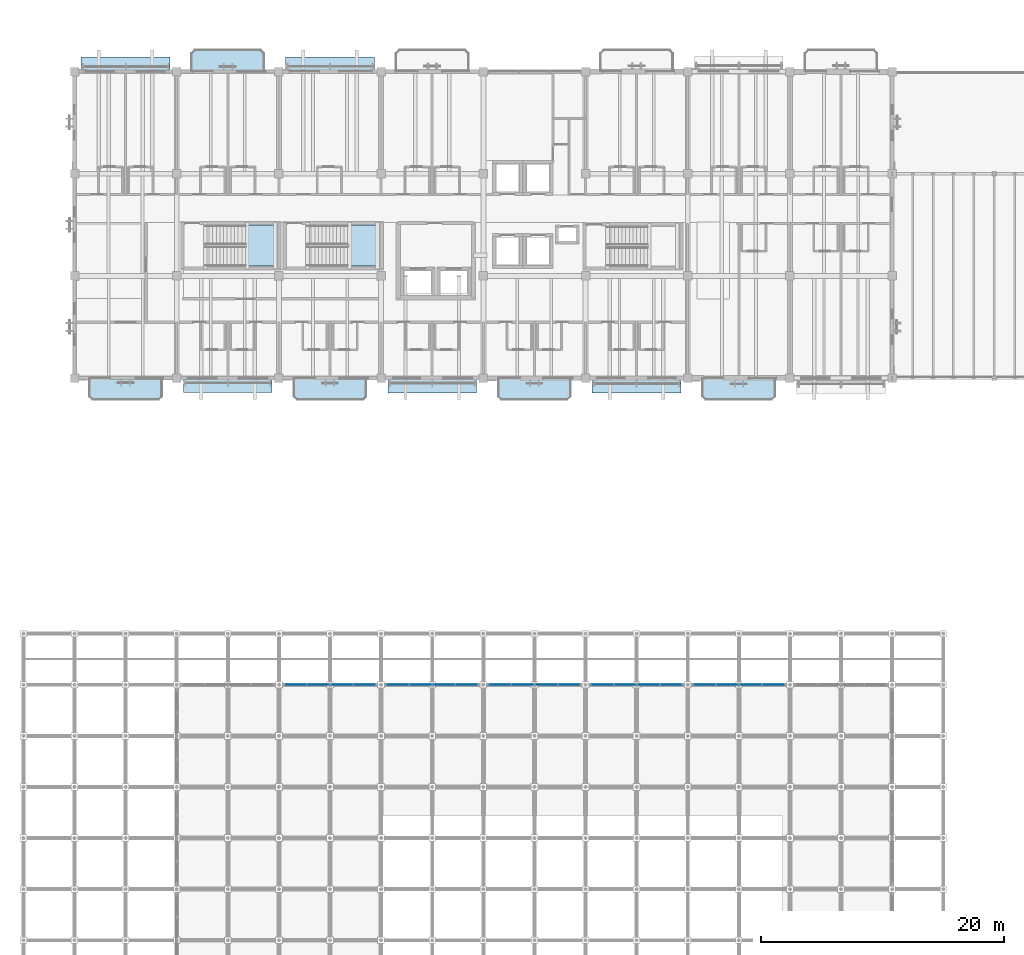
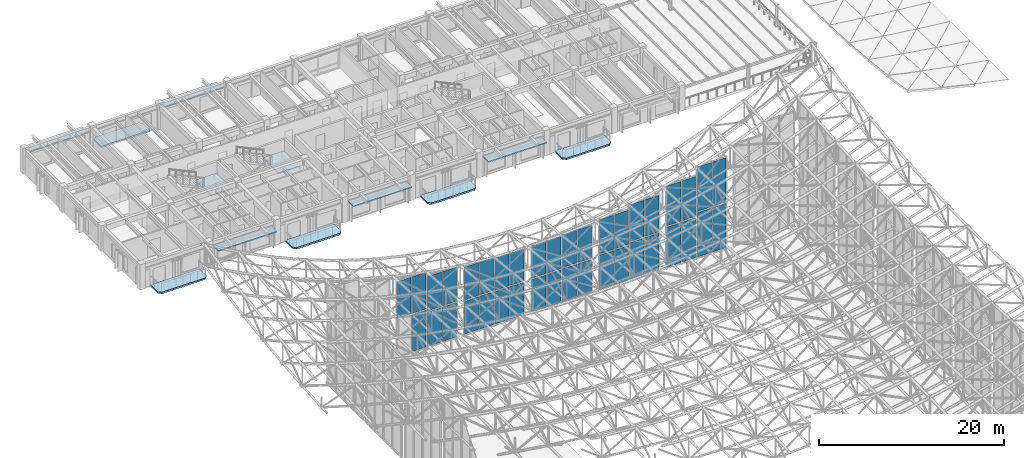
# One storey, part 62 of 93: 44 plates, 7 slabs, 17 elements without a shape of their own.
"""IFC4 building model written with IfcOpenShell, lengths in metres."""

from ifc_helpers import new_model, si_unit, direction, frame, origin, origin_2d, place, context, subcontext, project, spatial, polyline, rectangle, outline, extrude, material, layer, layer_set, type_object, element, aggregate, save


model = new_model("IFC4")

# Units and contexts
model_context = context("Model", 3, precision=1e-05, world=origin(), true_north=direction((0.0, 1.0)))
body_context = subcontext(model_context, "Body", "Model", "MODEL_VIEW")
ifc_project = project(units=[si_unit("LENGTHUNIT", "METRE"), si_unit("AREAUNIT", "SQUARE_METRE"), si_unit("VOLUMEUNIT", "CUBIC_METRE"), si_unit("PLANEANGLEUNIT", "RADIAN"), si_unit("MASSUNIT", "GRAM", prefix="KILO")], contexts=[model_context])

# Site, building, storey
site_placement = place(None, origin())
site = spatial("IfcSite", under=ifc_project, at=site_placement, CompositionType="ELEMENT")
building_placement = place(site_placement, origin())
building = spatial("IfcBuilding", under=site, at=building_placement, Name="Cumbredor Promenade Congress Hotel", CompositionType="ELEMENT")
storey_placement = place(building_placement, frame((0.0, 0.0, 21.840087890625)))
storey = spatial("IfcBuildingStorey", under=building, at=storey_placement, Name="L06", CompositionType="ELEMENT", Elevation=21.840087890625)

# Slabs
ifc_material_1 = material(Name="Concrete C40/50", Category="concrete")
ifc_layer_1 = layer(ifc_material_1, 0.215087890625, Name="Concrete C40/50", Category="concrete")
ifc_layer_set_1 = layer_set([ifc_layer_1], Name="Concrete C40/50")
slab_type_1 = type_object("IfcSlabType", Name="Cantilevered Guestroom Balcony Slab 215mm", PredefinedType="FLOOR", material=ifc_layer_set_1)
slab_1_placement = place(storey_placement, frame((0.0, 0.0, -0.215087890625)))
element("IfcSlab", 1, at=slab_1_placement, inside=storey, type_object=slab_type_1, Name="L06 Cantilevered Guestroom Veranda Balcony 034", PredefinedType="FLOOR", context=body_context, shape_type="SweptSolid", body=[
    extrude(outline(polyline([(9.550048828125, 117.60009765625), (15.64990234375, 117.60009765625), (15.64990234375, 119.10009765625), (15.300048828125, 119.449951171875), (9.89990234375, 119.449951171875), (9.550048828125, 119.10009765625), (9.550048828125, 117.60009765625)])), origin(), (0.0, 0.0, 1.0), 0.215087890625),
])
slab_2_placement = place(storey_placement, frame((0.0, 0.0, -0.215087890625)))
element("IfcSlab", 2, at=slab_2_placement, inside=storey, type_object=slab_type_1, Name="L06 Cantilevered Guestroom Veranda Balcony 038", PredefinedType="FLOOR", context=body_context, shape_type="SweptSolid", body=[
    extrude(outline(polyline([(1.5, 90.550048828125), (6.89990234375, 90.550048828125), (7.25, 90.89990234375), (7.25, 92.39990234375), (1.14990234375, 92.39990234375), (1.14990234375, 90.89990234375), (1.5, 90.550048828125)])), origin(), (0.0, 0.0, 1.0), 0.215087890625),
])
slab_3_placement = place(storey_placement, frame((0.0, 0.0, -0.215087890625)))
element("IfcSlab", 3, at=slab_3_placement, inside=storey, type_object=slab_type_1, Name="L06 Cantilevered Guestroom Veranda Balcony 039", PredefinedType="FLOOR", context=body_context, shape_type="SweptSolid", body=[
    extrude(outline(polyline([(18.300048828125, 90.550048828125), (23.699951171875, 90.550048828125), (24.050048828125, 90.89990234375), (24.050048828125, 92.39990234375), (17.949951171875, 92.39990234375), (17.949951171875, 90.89990234375), (18.300048828125, 90.550048828125)])), origin(), (0.0, 0.0, 1.0), 0.215087890625),
])
slab_4_placement = place(storey_placement, frame((0.0, 0.0, -0.215087890625)))
element("IfcSlab", 4, at=slab_4_placement, inside=storey, type_object=slab_type_1, Name="L06 Cantilevered Guestroom Veranda Balcony 040", PredefinedType="FLOOR", context=body_context, shape_type="SweptSolid", body=[
    extrude(outline(polyline([(35.10009765625, 90.550048828125), (40.5, 90.550048828125), (40.85009765625, 90.89990234375), (40.85009765625, 92.39990234375), (34.75, 92.39990234375), (34.75, 90.89990234375), (35.10009765625, 90.550048828125)])), origin(), (0.0, 0.0, 1.0), 0.215087890625),
])
slab_5_placement = place(storey_placement, frame((0.0, 0.0, -0.215087890625)))
element("IfcSlab", 5, at=slab_5_placement, inside=storey, type_object=slab_type_1, Name="L06 Cantilevered Guestroom Veranda Balcony 041", PredefinedType="FLOOR", context=body_context, shape_type="SweptSolid", body=[
    extrude(outline(polyline([(51.89990234375, 90.550048828125), (57.300048828125, 90.550048828125), (57.64990234375, 90.89990234375), (57.64990234375, 92.39990234375), (51.550048828125, 92.39990234375), (51.550048828125, 90.89990234375), (51.89990234375, 90.550048828125)])), origin(), (0.0, 0.0, 1.0), 0.215087890625),
])

# Curtain wall, plates
ifc_material_2 = material(Name="Thermally broken anodized aluminium and low-E glass", Category="aluminium")
curtain_wall_type_1 = type_object("IfcCurtainWallType", Name="Stepped Pavilion Clerestory Curtain Wall CW-06", PredefinedType="NOTDEFINED", material=ifc_material_2)
curtain_wall_1_placement = place(storey_placement, origin())
curtain_wall_1 = element("IfcCurtainWall", 6, at=curtain_wall_1_placement, inside=storey, type_object=curtain_wall_type_1, Name="Plenary Congress Hall N Glazed Clerestory 3", PredefinedType="NOTDEFINED")
ifc_material_3 = material(Name="Laminated low-E solar-control glass", Category="glass")
ifc_layer_2 = layer(ifc_material_3, 0.031982421875, Name="Laminated low-E solar-control glass", Category="glass")
ifc_layer_set_2 = layer_set([ifc_layer_2], Name="Laminated low-E solar-control glass")
plate_type_1 = type_object("IfcPlateType", Name="Clerestory Glazed Vision Panel PNL-07", PredefinedType="CURTAIN_PANEL", material=ifc_layer_set_2)
plate_1_placement = place(storey_placement, frame((18.169921875, 67.199951171875, 5.1796875), z_axis=(0.0, 0.0, 1.0), x_axis=(1.0, 0.0, 0.0)))
plate_1 = element("IfcPlate", 7, at=plate_1_placement, type_object=plate_type_1, Name="Plenary Congress Hall N Glazed Clerestory 3 Glazing Panel 1.2", PredefinedType="CURTAIN_PANEL", context=body_context, shape_type="SweptSolid", body=[
    extrude(rectangle(XDim=1.77490234375, YDim=0.031982421875, at=origin_2d()), origin(), (0.0, 0.0, 1.0), 4.820068359375),
])
plate_2_placement = place(storey_placement, frame((20.030029296875, 67.199951171875, 0.169921875), z_axis=(0.0, 0.0, 1.0), x_axis=(1.0, 0.0, 0.0)))
plate_2 = element("IfcPlate", 8, at=plate_2_placement, type_object=plate_type_1, Name="Plenary Congress Hall N Glazed Clerestory 3 Glazing Panel 2.1", PredefinedType="CURTAIN_PANEL", context=body_context, shape_type="SweptSolid", body=[
    extrude(rectangle(XDim=1.77490234375, YDim=0.031982421875, at=origin_2d()), origin(), (0.0, 0.0, 1.0), 4.830078125),
])
plate_3_placement = place(storey_placement, frame((20.030029296875, 67.199951171875, 5.1796875), z_axis=(0.0, 0.0, 1.0), x_axis=(1.0, 0.0, 0.0)))
plate_3 = element("IfcPlate", 9, at=plate_3_placement, type_object=plate_type_1, Name="Plenary Congress Hall N Glazed Clerestory 3 Glazing Panel 2.2", PredefinedType="CURTAIN_PANEL", context=body_context, shape_type="SweptSolid", body=[
    extrude(rectangle(XDim=1.77490234375, YDim=0.031982421875, at=origin_2d()), origin(), (0.0, 0.0, 1.0), 4.820068359375),
])
aggregate(curtain_wall_1, [plate_1, plate_2, plate_3])

curtain_wall_2_placement = place(storey_placement, origin())
curtain_wall_2 = element("IfcCurtainWall", 10, at=curtain_wall_2_placement, inside=storey, type_object=curtain_wall_type_1, Name="Plenary Congress Hall N Glazed Clerestory 4", PredefinedType="NOTDEFINED")
plate_4_placement = place(storey_placement, frame((21.969970703125, 67.199951171875, 0.169921875), z_axis=(0.0, 0.0, 1.0), x_axis=(1.0, 0.0, 0.0)))
plate_4 = element("IfcPlate", 11, at=plate_4_placement, type_object=plate_type_1, Name="Plenary Congress Hall N Glazed Clerestory 4 Glazing Panel 1.1", PredefinedType="CURTAIN_PANEL", context=body_context, shape_type="SweptSolid", body=[
    extrude(rectangle(XDim=1.77490234375, YDim=0.031982421875, at=origin_2d()), origin(), (0.0, 0.0, 1.0), 4.510009765625),
])
plate_5_placement = place(storey_placement, frame((21.969970703125, 67.199951171875, 4.85986328125), z_axis=(0.0, 0.0, 1.0), x_axis=(1.0, 0.0, 0.0)))
plate_5 = element("IfcPlate", 12, at=plate_5_placement, type_object=plate_type_1, Name="Plenary Congress Hall N Glazed Clerestory 4 Glazing Panel 1.2", PredefinedType="CURTAIN_PANEL", context=body_context, shape_type="SweptSolid", body=[
    extrude(rectangle(XDim=1.77490234375, YDim=0.031982421875, at=origin_2d()), origin(), (0.0, 0.0, 1.0), 4.510009765625),
])
plate_6_placement = place(storey_placement, frame((23.830078125, 67.199951171875, 0.169921875), z_axis=(0.0, 0.0, 1.0), x_axis=(1.0, 0.0, 0.0)))
plate_6 = element("IfcPlate", 13, at=plate_6_placement, type_object=plate_type_1, Name="Plenary Congress Hall N Glazed Clerestory 4 Glazing Panel 2.1", PredefinedType="CURTAIN_PANEL", context=body_context, shape_type="SweptSolid", body=[
    extrude(rectangle(XDim=1.77490234375, YDim=0.031982421875, at=origin_2d()), origin(), (0.0, 0.0, 1.0), 4.510009765625),
])
plate_7_placement = place(storey_placement, frame((23.830078125, 67.199951171875, 4.85986328125), z_axis=(0.0, 0.0, 1.0), x_axis=(1.0, 0.0, 0.0)))
plate_7 = element("IfcPlate", 14, at=plate_7_placement, type_object=plate_type_1, Name="Plenary Congress Hall N Glazed Clerestory 4 Glazing Panel 2.2", PredefinedType="CURTAIN_PANEL", context=body_context, shape_type="SweptSolid", body=[
    extrude(rectangle(XDim=1.77490234375, YDim=0.031982421875, at=origin_2d()), origin(), (0.0, 0.0, 1.0), 4.510009765625),
])
aggregate(curtain_wall_2, [plate_4, plate_5, plate_6, plate_7])

curtain_wall_3_placement = place(storey_placement, origin())
curtain_wall_3 = element("IfcCurtainWall", 15, at=curtain_wall_3_placement, inside=storey, type_object=curtain_wall_type_1, Name="Plenary Congress Hall N Glazed Clerestory 5", PredefinedType="NOTDEFINED")
plate_8_placement = place(storey_placement, frame((26.570068359375, 67.199951171875, 0.169921875), z_axis=(0.0, 0.0, 1.0), x_axis=(1.0, 0.0, 0.0)))
plate_8 = element("IfcPlate", 16, at=plate_8_placement, type_object=plate_type_1, Name="Plenary Congress Hall N Glazed Clerestory 5 Glazing Panel 1.1", PredefinedType="CURTAIN_PANEL", context=body_context, shape_type="SweptSolid", body=[
    extrude(rectangle(XDim=1.77490234375, YDim=0.031982421875, at=origin_2d()), origin(), (0.0, 0.0, 1.0), 4.320068359375),
])
plate_9_placement = place(storey_placement, frame((26.570068359375, 67.199951171875, 4.669921875), z_axis=(0.0, 0.0, 1.0), x_axis=(1.0, 0.0, 0.0)))
plate_9 = element("IfcPlate", 17, at=plate_9_placement, type_object=plate_type_1, Name="Plenary Congress Hall N Glazed Clerestory 5 Glazing Panel 1.2", PredefinedType="CURTAIN_PANEL", context=body_context, shape_type="SweptSolid", body=[
    extrude(rectangle(XDim=1.77490234375, YDim=0.031982421875, at=origin_2d()), origin(), (0.0, 0.0, 1.0), 4.320068359375),
])
plate_10_placement = place(storey_placement, frame((28.429931640625, 67.199951171875, 0.169921875), z_axis=(0.0, 0.0, 1.0), x_axis=(1.0, 0.0, 0.0)))
plate_10 = element("IfcPlate", 18, at=plate_10_placement, type_object=plate_type_1, Name="Plenary Congress Hall N Glazed Clerestory 5 Glazing Panel 2.1", PredefinedType="CURTAIN_PANEL", context=body_context, shape_type="SweptSolid", body=[
    extrude(rectangle(XDim=1.77490234375, YDim=0.031982421875, at=origin_2d()), origin(), (0.0, 0.0, 1.0), 4.320068359375),
])
plate_11_placement = place(storey_placement, frame((28.429931640625, 67.199951171875, 4.669921875), z_axis=(0.0, 0.0, 1.0), x_axis=(1.0, 0.0, 0.0)))
plate_11 = element("IfcPlate", 19, at=plate_11_placement, type_object=plate_type_1, Name="Plenary Congress Hall N Glazed Clerestory 5 Glazing Panel 2.2", PredefinedType="CURTAIN_PANEL", context=body_context, shape_type="SweptSolid", body=[
    extrude(rectangle(XDim=1.77490234375, YDim=0.031982421875, at=origin_2d()), origin(), (0.0, 0.0, 1.0), 4.320068359375),
])
aggregate(curtain_wall_3, [plate_8, plate_9, plate_10, plate_11])

curtain_wall_4_placement = place(storey_placement, origin())
curtain_wall_4 = element("IfcCurtainWall", 20, at=curtain_wall_4_placement, inside=storey, type_object=curtain_wall_type_1, Name="Plenary Congress Hall N Glazed Clerestory 6", PredefinedType="NOTDEFINED")
plate_12_placement = place(storey_placement, frame((30.3701171875, 67.199951171875, 0.169921875), z_axis=(0.0, 0.0, 1.0), x_axis=(1.0, 0.0, 0.0)))
plate_12 = element("IfcPlate", 21, at=plate_12_placement, type_object=plate_type_1, Name="Plenary Congress Hall N Glazed Clerestory 6 Glazing Panel 1.1", PredefinedType="CURTAIN_PANEL", context=body_context, shape_type="SweptSolid", body=[
    extrude(rectangle(XDim=1.77490234375, YDim=0.031982421875, at=origin_2d()), origin(), (0.0, 0.0, 1.0), 4.260009765625),
])
plate_13_placement = place(storey_placement, frame((30.3701171875, 67.199951171875, 4.60986328125), z_axis=(0.0, 0.0, 1.0), x_axis=(1.0, 0.0, 0.0)))
plate_13 = element("IfcPlate", 22, at=plate_13_placement, type_object=plate_type_1, Name="Plenary Congress Hall N Glazed Clerestory 6 Glazing Panel 1.2", PredefinedType="CURTAIN_PANEL", context=body_context, shape_type="SweptSolid", body=[
    extrude(rectangle(XDim=1.77490234375, YDim=0.031982421875, at=origin_2d()), origin(), (0.0, 0.0, 1.0), 4.260009765625),
])
plate_14_placement = place(storey_placement, frame((32.22998046875, 67.199951171875, 0.169921875), z_axis=(0.0, 0.0, 1.0), x_axis=(1.0, 0.0, 0.0)))
plate_14 = element("IfcPlate", 23, at=plate_14_placement, type_object=plate_type_1, Name="Plenary Congress Hall N Glazed Clerestory 6 Glazing Panel 2.1", PredefinedType="CURTAIN_PANEL", context=body_context, shape_type="SweptSolid", body=[
    extrude(rectangle(XDim=1.77490234375, YDim=0.031982421875, at=origin_2d()), origin(), (0.0, 0.0, 1.0), 4.260009765625),
])
plate_15_placement = place(storey_placement, frame((32.22998046875, 67.199951171875, 4.60986328125), z_axis=(0.0, 0.0, 1.0), x_axis=(1.0, 0.0, 0.0)))
plate_15 = element("IfcPlate", 24, at=plate_15_placement, type_object=plate_type_1, Name="Plenary Congress Hall N Glazed Clerestory 6 Glazing Panel 2.2", PredefinedType="CURTAIN_PANEL", context=body_context, shape_type="SweptSolid", body=[
    extrude(rectangle(XDim=1.77490234375, YDim=0.031982421875, at=origin_2d()), origin(), (0.0, 0.0, 1.0), 4.260009765625),
])
aggregate(curtain_wall_4, [plate_12, plate_13, plate_14, plate_15])

curtain_wall_5_placement = place(storey_placement, origin())
curtain_wall_5 = element("IfcCurtainWall", 25, at=curtain_wall_5_placement, inside=storey, type_object=curtain_wall_type_1, Name="Plenary Congress Hall N Glazed Clerestory 7", PredefinedType="NOTDEFINED")
plate_16_placement = place(storey_placement, frame((34.969970703125, 67.199951171875, 0.169921875), z_axis=(0.0, 0.0, 1.0), x_axis=(1.0, 0.0, 0.0)))
plate_16 = element("IfcPlate", 26, at=plate_16_placement, type_object=plate_type_1, Name="Plenary Congress Hall N Glazed Clerestory 7 Glazing Panel 1.1", PredefinedType="CURTAIN_PANEL", context=body_context, shape_type="SweptSolid", body=[
    extrude(rectangle(XDim=1.77490234375, YDim=0.031982421875, at=origin_2d()), origin(), (0.0, 0.0, 1.0), 4.260009765625),
])
plate_17_placement = place(storey_placement, frame((34.969970703125, 67.199951171875, 4.60986328125), z_axis=(0.0, 0.0, 1.0), x_axis=(1.0, 0.0, 0.0)))
plate_17 = element("IfcPlate", 27, at=plate_17_placement, type_object=plate_type_1, Name="Plenary Congress Hall N Glazed Clerestory 7 Glazing Panel 1.2", PredefinedType="CURTAIN_PANEL", context=body_context, shape_type="SweptSolid", body=[
    extrude(rectangle(XDim=1.77490234375, YDim=0.031982421875, at=origin_2d()), origin(), (0.0, 0.0, 1.0), 4.260009765625),
])
plate_18_placement = place(storey_placement, frame((36.830078125, 67.199951171875, 0.169921875), z_axis=(0.0, 0.0, 1.0), x_axis=(1.0, 0.0, 0.0)))
plate_18 = element("IfcPlate", 28, at=plate_18_placement, type_object=plate_type_1, Name="Plenary Congress Hall N Glazed Clerestory 7 Glazing Panel 2.1", PredefinedType="CURTAIN_PANEL", context=body_context, shape_type="SweptSolid", body=[
    extrude(rectangle(XDim=1.77490234375, YDim=0.031982421875, at=origin_2d()), origin(), (0.0, 0.0, 1.0), 4.260009765625),
])
plate_19_placement = place(storey_placement, frame((36.830078125, 67.199951171875, 4.60986328125), z_axis=(0.0, 0.0, 1.0), x_axis=(1.0, 0.0, 0.0)))
plate_19 = element("IfcPlate", 29, at=plate_19_placement, type_object=plate_type_1, Name="Plenary Congress Hall N Glazed Clerestory 7 Glazing Panel 2.2", PredefinedType="CURTAIN_PANEL", context=body_context, shape_type="SweptSolid", body=[
    extrude(rectangle(XDim=1.77490234375, YDim=0.031982421875, at=origin_2d()), origin(), (0.0, 0.0, 1.0), 4.260009765625),
])
aggregate(curtain_wall_5, [plate_16, plate_17, plate_18, plate_19])

curtain_wall_6_placement = place(storey_placement, origin())
curtain_wall_6 = element("IfcCurtainWall", 30, at=curtain_wall_6_placement, inside=storey, type_object=curtain_wall_type_1, Name="Plenary Congress Hall N Glazed Clerestory 8", PredefinedType="NOTDEFINED")
plate_20_placement = place(storey_placement, frame((38.77001953125, 67.199951171875, 0.169921875), z_axis=(0.0, 0.0, 1.0), x_axis=(1.0, 0.0, 0.0)))
plate_20 = element("IfcPlate", 31, at=plate_20_placement, type_object=plate_type_1, Name="Plenary Congress Hall N Glazed Clerestory 8 Glazing Panel 1.1", PredefinedType="CURTAIN_PANEL", context=body_context, shape_type="SweptSolid", body=[
    extrude(rectangle(XDim=1.77490234375, YDim=0.031982421875, at=origin_2d()), origin(), (0.0, 0.0, 1.0), 4.320068359375),
])
plate_21_placement = place(storey_placement, frame((38.77001953125, 67.199951171875, 4.669921875), z_axis=(0.0, 0.0, 1.0), x_axis=(1.0, 0.0, 0.0)))
plate_21 = element("IfcPlate", 32, at=plate_21_placement, type_object=plate_type_1, Name="Plenary Congress Hall N Glazed Clerestory 8 Glazing Panel 1.2", PredefinedType="CURTAIN_PANEL", context=body_context, shape_type="SweptSolid", body=[
    extrude(rectangle(XDim=1.77490234375, YDim=0.031982421875, at=origin_2d()), origin(), (0.0, 0.0, 1.0), 4.320068359375),
])
plate_22_placement = place(storey_placement, frame((40.6298828125, 67.199951171875, 0.169921875), z_axis=(0.0, 0.0, 1.0), x_axis=(1.0, 0.0, 0.0)))
plate_22 = element("IfcPlate", 33, at=plate_22_placement, type_object=plate_type_1, Name="Plenary Congress Hall N Glazed Clerestory 8 Glazing Panel 2.1", PredefinedType="CURTAIN_PANEL", context=body_context, shape_type="SweptSolid", body=[
    extrude(rectangle(XDim=1.77490234375, YDim=0.031982421875, at=origin_2d()), origin(), (0.0, 0.0, 1.0), 4.320068359375),
])
plate_23_placement = place(storey_placement, frame((40.6298828125, 67.199951171875, 4.669921875), z_axis=(0.0, 0.0, 1.0), x_axis=(1.0, 0.0, 0.0)))
plate_23 = element("IfcPlate", 34, at=plate_23_placement, type_object=plate_type_1, Name="Plenary Congress Hall N Glazed Clerestory 8 Glazing Panel 2.2", PredefinedType="CURTAIN_PANEL", context=body_context, shape_type="SweptSolid", body=[
    extrude(rectangle(XDim=1.77490234375, YDim=0.031982421875, at=origin_2d()), origin(), (0.0, 0.0, 1.0), 4.320068359375),
])
aggregate(curtain_wall_6, [plate_20, plate_21, plate_22, plate_23])

curtain_wall_7_placement = place(storey_placement, origin())
curtain_wall_7 = element("IfcCurtainWall", 35, at=curtain_wall_7_placement, inside=storey, type_object=curtain_wall_type_1, Name="Plenary Congress Hall N Glazed Clerestory 9", PredefinedType="NOTDEFINED")
plate_24_placement = place(storey_placement, frame((43.3701171875, 67.199951171875, 0.169921875), z_axis=(0.0, 0.0, 1.0), x_axis=(1.0, 0.0, 0.0)))
plate_24 = element("IfcPlate", 36, at=plate_24_placement, type_object=plate_type_1, Name="Plenary Congress Hall N Glazed Clerestory 9 Glazing Panel 1.1", PredefinedType="CURTAIN_PANEL", context=body_context, shape_type="SweptSolid", body=[
    extrude(rectangle(XDim=1.77490234375, YDim=0.031982421875, at=origin_2d()), origin(), (0.0, 0.0, 1.0), 4.510009765625),
])
plate_25_placement = place(storey_placement, frame((43.3701171875, 67.199951171875, 4.85986328125), z_axis=(0.0, 0.0, 1.0), x_axis=(1.0, 0.0, 0.0)))
plate_25 = element("IfcPlate", 37, at=plate_25_placement, type_object=plate_type_1, Name="Plenary Congress Hall N Glazed Clerestory 9 Glazing Panel 1.2", PredefinedType="CURTAIN_PANEL", context=body_context, shape_type="SweptSolid", body=[
    extrude(rectangle(XDim=1.77490234375, YDim=0.031982421875, at=origin_2d()), origin(), (0.0, 0.0, 1.0), 4.510009765625),
])
plate_26_placement = place(storey_placement, frame((45.22998046875, 67.199951171875, 0.169921875), z_axis=(0.0, 0.0, 1.0), x_axis=(1.0, 0.0, 0.0)))
plate_26 = element("IfcPlate", 38, at=plate_26_placement, type_object=plate_type_1, Name="Plenary Congress Hall N Glazed Clerestory 9 Glazing Panel 2.1", PredefinedType="CURTAIN_PANEL", context=body_context, shape_type="SweptSolid", body=[
    extrude(rectangle(XDim=1.77490234375, YDim=0.031982421875, at=origin_2d()), origin(), (0.0, 0.0, 1.0), 4.510009765625),
])
plate_27_placement = place(storey_placement, frame((45.22998046875, 67.199951171875, 4.85986328125), z_axis=(0.0, 0.0, 1.0), x_axis=(1.0, 0.0, 0.0)))
plate_27 = element("IfcPlate", 39, at=plate_27_placement, type_object=plate_type_1, Name="Plenary Congress Hall N Glazed Clerestory 9 Glazing Panel 2.2", PredefinedType="CURTAIN_PANEL", context=body_context, shape_type="SweptSolid", body=[
    extrude(rectangle(XDim=1.77490234375, YDim=0.031982421875, at=origin_2d()), origin(), (0.0, 0.0, 1.0), 4.510009765625),
])
aggregate(curtain_wall_7, [plate_24, plate_25, plate_26, plate_27])

curtain_wall_8_placement = place(storey_placement, origin())
curtain_wall_8 = element("IfcCurtainWall", 40, at=curtain_wall_8_placement, inside=storey, type_object=curtain_wall_type_1, Name="Plenary Congress Hall N Glazed Clerestory 10", PredefinedType="NOTDEFINED")
plate_28_placement = place(storey_placement, frame((47.169921875, 67.199951171875, 0.169921875), z_axis=(0.0, 0.0, 1.0), x_axis=(1.0, 0.0, 0.0)))
plate_28 = element("IfcPlate", 41, at=plate_28_placement, type_object=plate_type_1, Name="Plenary Congress Hall N Glazed Clerestory 10 Glazing Panel 1.1", PredefinedType="CURTAIN_PANEL", context=body_context, shape_type="SweptSolid", body=[
    extrude(rectangle(XDim=1.77490234375, YDim=0.031982421875, at=origin_2d()), origin(), (0.0, 0.0, 1.0), 4.830078125),
])
plate_29_placement = place(storey_placement, frame((47.169921875, 67.199951171875, 5.1796875), z_axis=(0.0, 0.0, 1.0), x_axis=(1.0, 0.0, 0.0)))
plate_29 = element("IfcPlate", 42, at=plate_29_placement, type_object=plate_type_1, Name="Plenary Congress Hall N Glazed Clerestory 10 Glazing Panel 1.2", PredefinedType="CURTAIN_PANEL", context=body_context, shape_type="SweptSolid", body=[
    extrude(rectangle(XDim=1.77490234375, YDim=0.031982421875, at=origin_2d()), origin(), (0.0, 0.0, 1.0), 4.820068359375),
])
plate_30_placement = place(storey_placement, frame((49.030029296875, 67.199951171875, 0.169921875), z_axis=(0.0, 0.0, 1.0), x_axis=(1.0, 0.0, 0.0)))
plate_30 = element("IfcPlate", 43, at=plate_30_placement, type_object=plate_type_1, Name="Plenary Congress Hall N Glazed Clerestory 10 Glazing Panel 2.1", PredefinedType="CURTAIN_PANEL", context=body_context, shape_type="SweptSolid", body=[
    extrude(rectangle(XDim=1.77490234375, YDim=0.031982421875, at=origin_2d()), origin(), (0.0, 0.0, 1.0), 4.830078125),
])
plate_31_placement = place(storey_placement, frame((49.030029296875, 67.199951171875, 5.1796875), z_axis=(0.0, 0.0, 1.0), x_axis=(1.0, 0.0, 0.0)))
plate_31 = element("IfcPlate", 44, at=plate_31_placement, type_object=plate_type_1, Name="Plenary Congress Hall N Glazed Clerestory 10 Glazing Panel 2.2", PredefinedType="CURTAIN_PANEL", context=body_context, shape_type="SweptSolid", body=[
    extrude(rectangle(XDim=1.77490234375, YDim=0.031982421875, at=origin_2d()), origin(), (0.0, 0.0, 1.0), 4.820068359375),
])
aggregate(curtain_wall_8, [plate_28, plate_29, plate_30, plate_31])

curtain_wall_9_placement = place(storey_placement, origin())
curtain_wall_9 = element("IfcCurtainWall", 45, at=curtain_wall_9_placement, inside=storey, type_object=curtain_wall_type_1, Name="Plenary Congress Hall N Glazed Clerestory 11", PredefinedType="NOTDEFINED")
plate_32_placement = place(storey_placement, frame((51.77001953125, 67.199951171875, 0.169921875), z_axis=(0.0, 0.0, 1.0), x_axis=(1.0, 0.0, 0.0)))
plate_32 = element("IfcPlate", 46, at=plate_32_placement, type_object=plate_type_1, Name="Plenary Congress Hall N Glazed Clerestory 11 Glazing Panel 1.1", PredefinedType="CURTAIN_PANEL", context=body_context, shape_type="SweptSolid", body=[
    extrude(rectangle(XDim=1.77490234375, YDim=0.031982421875, at=origin_2d()), origin(), (0.0, 0.0, 1.0), 5.27001953125),
])
plate_33_placement = place(storey_placement, frame((51.77001953125, 67.199951171875, 5.6201171875), z_axis=(0.0, 0.0, 1.0), x_axis=(1.0, 0.0, 0.0)))
plate_33 = element("IfcPlate", 47, at=plate_33_placement, type_object=plate_type_1, Name="Plenary Congress Hall N Glazed Clerestory 11 Glazing Panel 1.2", PredefinedType="CURTAIN_PANEL", context=body_context, shape_type="SweptSolid", body=[
    extrude(rectangle(XDim=1.77490234375, YDim=0.031982421875, at=origin_2d()), origin(), (0.0, 0.0, 1.0), 5.260009765625),
])
plate_34_placement = place(storey_placement, frame((53.6298828125, 67.199951171875, 0.169921875), z_axis=(0.0, 0.0, 1.0), x_axis=(1.0, 0.0, 0.0)))
plate_34 = element("IfcPlate", 48, at=plate_34_placement, type_object=plate_type_1, Name="Plenary Congress Hall N Glazed Clerestory 11 Glazing Panel 2.1", PredefinedType="CURTAIN_PANEL", context=body_context, shape_type="SweptSolid", body=[
    extrude(rectangle(XDim=1.77490234375, YDim=0.031982421875, at=origin_2d()), origin(), (0.0, 0.0, 1.0), 5.27001953125),
])
plate_35_placement = place(storey_placement, frame((53.6298828125, 67.199951171875, 5.6201171875), z_axis=(0.0, 0.0, 1.0), x_axis=(1.0, 0.0, 0.0)))
plate_35 = element("IfcPlate", 49, at=plate_35_placement, type_object=plate_type_1, Name="Plenary Congress Hall N Glazed Clerestory 11 Glazing Panel 2.2", PredefinedType="CURTAIN_PANEL", context=body_context, shape_type="SweptSolid", body=[
    extrude(rectangle(XDim=1.77490234375, YDim=0.031982421875, at=origin_2d()), origin(), (0.0, 0.0, 1.0), 5.260009765625),
])
aggregate(curtain_wall_9, [plate_32, plate_33, plate_34, plate_35])

curtain_wall_10_placement = place(storey_placement, origin())
curtain_wall_10 = element("IfcCurtainWall", 50, at=curtain_wall_10_placement, inside=storey, type_object=curtain_wall_type_1, Name="Plenary Congress Hall N Glazed Clerestory 12", PredefinedType="NOTDEFINED")
plate_36_placement = place(storey_placement, frame((55.570068359375, 67.199951171875, 0.169921875), z_axis=(0.0, 0.0, 1.0), x_axis=(1.0, 0.0, 0.0)))
plate_36 = element("IfcPlate", 51, at=plate_36_placement, type_object=plate_type_1, Name="Plenary Congress Hall N Glazed Clerestory 12 Glazing Panel 1.1", PredefinedType="CURTAIN_PANEL", context=body_context, shape_type="SweptSolid", body=[
    extrude(rectangle(XDim=1.77490234375, YDim=0.031982421875, at=origin_2d()), origin(), (0.0, 0.0, 1.0), 5.840087890625),
])
plate_37_placement = place(storey_placement, frame((55.570068359375, 67.199951171875, 6.18994140625), z_axis=(0.0, 0.0, 1.0), x_axis=(1.0, 0.0, 0.0)))
plate_37 = element("IfcPlate", 52, at=plate_37_placement, type_object=plate_type_1, Name="Plenary Congress Hall N Glazed Clerestory 12 Glazing Panel 1.2", PredefinedType="CURTAIN_PANEL", context=body_context, shape_type="SweptSolid", body=[
    extrude(rectangle(XDim=1.77490234375, YDim=0.031982421875, at=origin_2d()), origin(), (0.0, 0.0, 1.0), 5.830078125),
])
plate_38_placement = place(storey_placement, frame((57.429931640625, 67.199951171875, 0.169921875), z_axis=(0.0, 0.0, 1.0), x_axis=(1.0, 0.0, 0.0)))
plate_38 = element("IfcPlate", 53, at=plate_38_placement, type_object=plate_type_1, Name="Plenary Congress Hall N Glazed Clerestory 12 Glazing Panel 2.1", PredefinedType="CURTAIN_PANEL", context=body_context, shape_type="SweptSolid", body=[
    extrude(rectangle(XDim=1.77490234375, YDim=0.031982421875, at=origin_2d()), origin(), (0.0, 0.0, 1.0), 5.840087890625),
])
plate_39_placement = place(storey_placement, frame((57.429931640625, 67.199951171875, 6.18994140625), z_axis=(0.0, 0.0, 1.0), x_axis=(1.0, 0.0, 0.0)))
plate_39 = element("IfcPlate", 54, at=plate_39_placement, type_object=plate_type_1, Name="Plenary Congress Hall N Glazed Clerestory 12 Glazing Panel 2.2", PredefinedType="CURTAIN_PANEL", context=body_context, shape_type="SweptSolid", body=[
    extrude(rectangle(XDim=1.77490234375, YDim=0.031982421875, at=origin_2d()), origin(), (0.0, 0.0, 1.0), 5.830078125),
])
aggregate(curtain_wall_10, [plate_36, plate_37, plate_38, plate_39])

# Stair, slab
stair_type = type_object("IfcStairType", Name="Protected Dog-Leg Exit Stair ST-T2 1600mm", PredefinedType="HALF_TURN_STAIR", material=ifc_material_1)
stair_1_placement = place(storey_placement, origin())
stair_1 = element("IfcStair", 55, at=stair_1_placement, inside=storey, type_object=stair_type, Name="L06 Protected Exit Stair ST-01", PredefinedType="HALF_TURN_STAIR")
ifc_layer_3 = layer(ifc_material_1, 0.199951171875, Name="Concrete C40/50", Category="concrete")
ifc_layer_set_3 = layer_set([ifc_layer_3], Name="Concrete C40/50")
slab_type_2 = type_object("IfcSlabType", Name="Concrete Stair Landing Slab 200mm", PredefinedType="LANDING", material=ifc_layer_set_3)
slab_6_placement = place(storey_placement, frame((0.0, 0.0, 1.47998046875)))
slab_6 = element("IfcSlab", 56, at=slab_6_placement, type_object=slab_type_2, Name="ST-01 landing 1", PredefinedType="LANDING", context=body_context, shape_type="SweptSolid", body=[
    extrude(outline(polyline([(14.050048828125, 101.6201171875), (16.64990234375, 101.6201171875), (16.64990234375, 104.969970703125), (14.050048828125, 104.969970703125), (14.050048828125, 101.6201171875)])), origin(), (0.0, 0.0, 1.0), 0.199951171875),
])
aggregate(stair_1, [slab_6])

stair_2_placement = place(storey_placement, origin())
stair_2 = element("IfcStair", 57, at=stair_2_placement, inside=storey, type_object=stair_type, Name="L06 Protected Exit Stair ST-02", PredefinedType="HALF_TURN_STAIR")
slab_7_placement = place(storey_placement, frame((0.0, 0.0, 1.47998046875)))
slab_7 = element("IfcSlab", 58, at=slab_7_placement, type_object=slab_type_2, Name="ST-02 landing 1", PredefinedType="LANDING", context=body_context, shape_type="SweptSolid", body=[
    extrude(outline(polyline([(22.449951171875, 101.6201171875), (25.050048828125, 101.6201171875), (25.050048828125, 104.969970703125), (22.449951171875, 104.969970703125), (22.449951171875, 101.6201171875)])), origin(), (0.0, 0.0, 1.0), 0.199951171875),
])
aggregate(stair_2, [slab_7])

# Curtain wall, plate
curtain_wall_type_2 = type_object("IfcCurtainWallType", Name="Solar Brise-Soleil Screen Assembly CW-07", PredefinedType="NOTDEFINED", material=ifc_material_2)
curtain_wall_11_placement = place(storey_placement, origin())
curtain_wall_11 = element("IfcCurtainWall", 59, at=curtain_wall_11_placement, inside=storey, type_object=curtain_wall_type_2, Name="L06 Hospitality Brise-Soleil Screen 088", PredefinedType="NOTDEFINED")
ifc_material_4 = material(Name="Precast concrete C40/50", Category="concrete")
ifc_layer_4 = layer(ifc_material_4, 0.14501953125, Name="Precast concrete C40/50", Category="concrete")
ifc_layer_set_4 = layer_set([ifc_layer_4], Name="Precast concrete C40/50")
plate_type_2 = type_object("IfcPlateType", Name="Horizontal Precast Sun-Hood Eyebrow Plate 145mm", PredefinedType="USERDEFINED", material=ifc_layer_set_4)
plate_40_placement = place(storey_placement, frame((12.60009765625, 91.844970703125, 2.333984375), z_axis=(0.0, 0.0, 1.0), x_axis=(1.0, 0.0, 0.0)))
plate_40 = element("IfcPlate", 60, at=plate_40_placement, type_object=plate_type_2, Name="L06 Horizontal Sun-Hood Eyebrow 088", ObjectType="SUN HOOD", PredefinedType="USERDEFINED", context=body_context, shape_type="SweptSolid", body=[
    extrude(rectangle(XDim=7.298095703125, YDim=1.27001953125, at=origin_2d()), origin(), (0.0, 0.0, 1.0), 0.14501953125),
])
aggregate(curtain_wall_11, [plate_40])

curtain_wall_12_placement = place(storey_placement, origin())
curtain_wall_12 = element("IfcCurtainWall", 61, at=curtain_wall_12_placement, inside=storey, type_object=curtain_wall_type_2, Name="L06 Hospitality Brise-Soleil Screen 089", PredefinedType="NOTDEFINED")
plate_41_placement = place(storey_placement, frame((29.39990234375, 91.833740234375, 2.333984375), z_axis=(0.0, 0.0, 1.0), x_axis=(1.0, 0.0, 0.0)))
plate_41 = element("IfcPlate", 62, at=plate_41_placement, type_object=plate_type_2, Name="L06 Horizontal Sun-Hood Eyebrow 089", ObjectType="SUN HOOD", PredefinedType="USERDEFINED", context=body_context, shape_type="SweptSolid", body=[
    extrude(rectangle(XDim=7.298095703125, YDim=1.29248046875, at=origin_2d()), origin(), (0.0, 0.0, 1.0), 0.14501953125),
])
aggregate(curtain_wall_12, [plate_41])

curtain_wall_13_placement = place(storey_placement, origin())
curtain_wall_13 = element("IfcCurtainWall", 63, at=curtain_wall_13_placement, inside=storey, type_object=curtain_wall_type_2, Name="L06 Hospitality Brise-Soleil Screen 090", PredefinedType="NOTDEFINED")
plate_42_placement = place(storey_placement, frame((46.199951171875, 91.820068359375, 2.333984375), z_axis=(0.0, 0.0, 1.0), x_axis=(1.0, 0.0, 0.0)))
plate_42 = element("IfcPlate", 64, at=plate_42_placement, type_object=plate_type_2, Name="L06 Horizontal Sun-Hood Eyebrow 090", ObjectType="SUN HOOD", PredefinedType="USERDEFINED", context=body_context, shape_type="SweptSolid", body=[
    extrude(rectangle(XDim=7.298095703125, YDim=1.320068359375, at=origin_2d()), origin(), (0.0, 0.0, 1.0), 0.14501953125),
])
aggregate(curtain_wall_13, [plate_42])

curtain_wall_14_placement = place(storey_placement, origin())
curtain_wall_14 = element("IfcCurtainWall", 65, at=curtain_wall_14_placement, inside=storey, type_object=curtain_wall_type_2, Name="L06 Hospitality Brise-Soleil Screen 092", PredefinedType="NOTDEFINED")
plate_43_placement = place(storey_placement, frame((4.199951171875, 118.14990234375, 2.333984375), z_axis=(0.0, 0.0, 1.0), x_axis=(1.0, 0.0, 0.0)))
plate_43 = element("IfcPlate", 66, at=plate_43_placement, type_object=plate_type_2, Name="L06 Horizontal Sun-Hood Eyebrow 092", ObjectType="SUN HOOD", PredefinedType="USERDEFINED", context=body_context, shape_type="SweptSolid", body=[
    extrude(rectangle(XDim=7.298095703125, YDim=1.260009765625, at=origin_2d()), origin(), (0.0, 0.0, 1.0), 0.14501953125),
])
aggregate(curtain_wall_14, [plate_43])

curtain_wall_15_placement = place(storey_placement, origin())
curtain_wall_15 = element("IfcCurtainWall", 67, at=curtain_wall_15_placement, inside=storey, type_object=curtain_wall_type_2, Name="L06 Hospitality Brise-Soleil Screen 093", PredefinedType="NOTDEFINED")
plate_44_placement = place(storey_placement, frame((21.0, 118.159912109375, 2.333984375), z_axis=(0.0, 0.0, 1.0), x_axis=(1.0, 0.0, 0.0)))
plate_44 = element("IfcPlate", 68, at=plate_44_placement, type_object=plate_type_2, Name="L06 Horizontal Sun-Hood Eyebrow 093", ObjectType="SUN HOOD", PredefinedType="USERDEFINED", context=body_context, shape_type="SweptSolid", body=[
    extrude(rectangle(XDim=7.298095703125, YDim=1.280029296875, at=origin_2d()), origin(), (0.0, 0.0, 1.0), 0.14501953125),
])
aggregate(curtain_wall_15, [plate_44])

save(model, "model.ifc")
